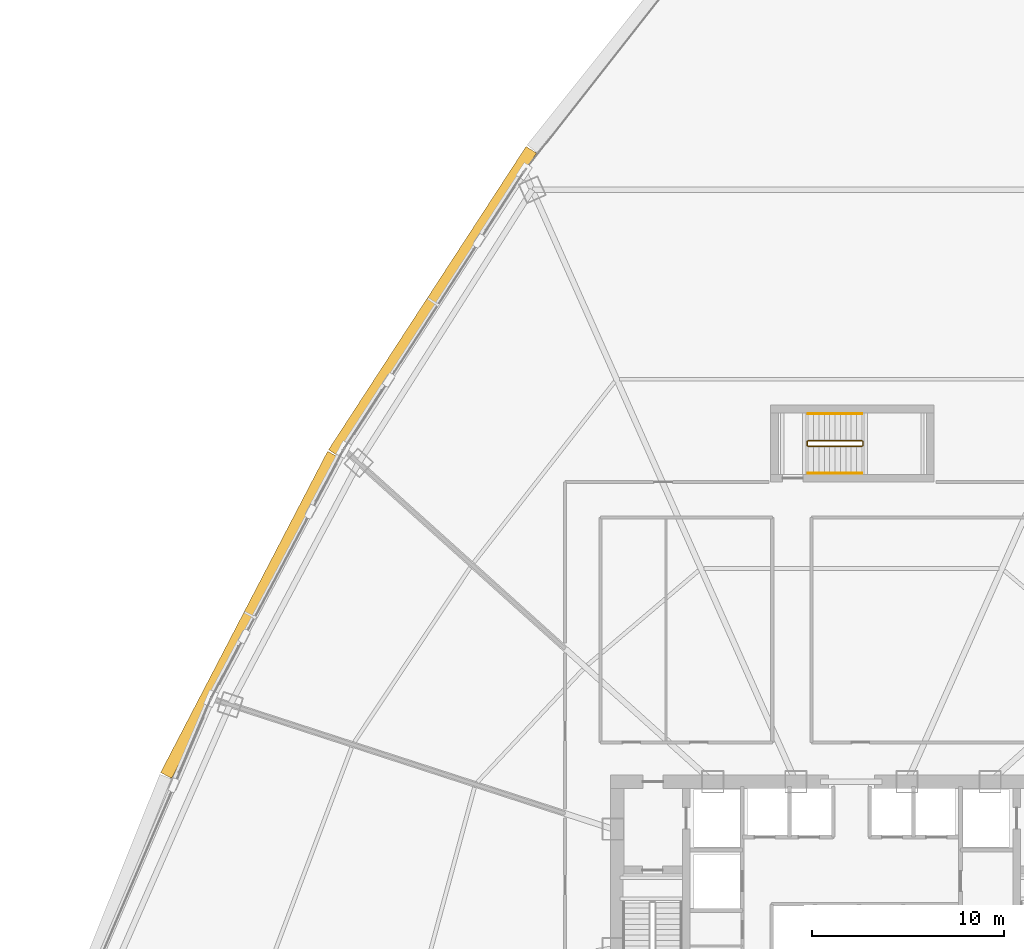
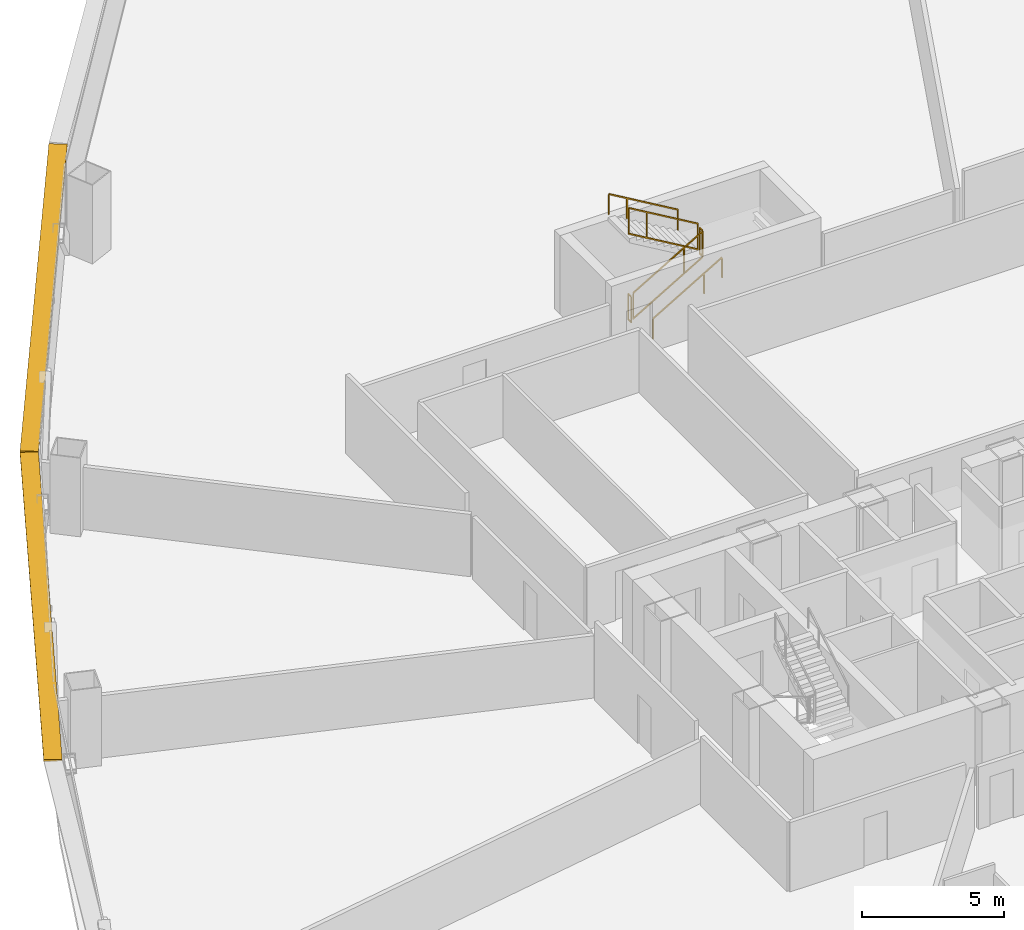
# One storey, part 40 of 41: 6 railings, 2 shading devices.
"""IFC4 building model written with IfcOpenShell, lengths in metres."""

from ifc_helpers import new_model, si_unit, direction, frame, origin, origin_2d, place, context, subcontext, project, spatial, rectangle, extrude, source, transform, mapped, material, layer, layer_set, type_object, element, save


model = new_model("IFC4")

# Units and contexts
model_context = context("Model", 3, precision=1e-05, world=origin(), true_north=direction((0.0, 1.0)))
body_context = subcontext(model_context, "Body", "Model", "MODEL_VIEW")
ifc_project = project(units=[si_unit("LENGTHUNIT", "METRE"), si_unit("AREAUNIT", "SQUARE_METRE"), si_unit("VOLUMEUNIT", "CUBIC_METRE"), si_unit("PLANEANGLEUNIT", "RADIAN"), si_unit("MASSUNIT", "GRAM", prefix="KILO"), si_unit("THERMODYNAMICTEMPERATUREUNIT", "KELVIN"), si_unit("POWERUNIT", "WATT")], contexts=[model_context])

# Site, building, storey
site_placement = place(None, origin())
site = spatial("IfcSite", under=ifc_project, at=site_placement, CompositionType="ELEMENT")
building_placement = place(site_placement, origin())
building = spatial("IfcBuilding", under=site, at=building_placement, Name="Yunzhuo Pagoda Commons", CompositionType="ELEMENT")
storey_placement = place(building_placement, frame((0.0, 0.0, 63.070068359375)))
storey = spatial("IfcBuildingStorey", under=building, at=storey_placement, Name="L16", CompositionType="ELEMENT", Elevation=63.070068359375)

# Railings
ifc_material = material(Name="Anodized aluminium 6063-T6", Category="aluminium")
railing_type_1 = type_object("IfcRailingType", Name="GR-ST3 North Well Guardrail 1155", PredefinedType="GUARDRAIL", material=ifc_material)
railing_1_placement = place(storey_placement, frame((45.75, 57.64990234375, 0.1650390625)))
element("IfcRailing", 1, at=railing_1_placement, inside=storey, type_object=railing_type_1, Name="L16 ST3 stair guard 1", PredefinedType="GUARDRAIL", context=body_context, shape_type="SweptSolid", body=[
    extrude(rectangle(XDim=0.048095703125, YDim=0.048095703125, at=origin_2d()), frame((0.0, 0.0, 1.1259765625), z_axis=(0.861555476484, 0.0, 0.507663432739), x_axis=(0.0, 1.0, 0.0)), (0.0, 0.0, 1.0), 3.25),
    extrude(rectangle(XDim=0.048095703125, YDim=0.048095703125, at=origin_2d()), frame((0.0, 0.0, 0.02392578125), z_axis=(0.861555476484, 0.0, 0.507663432739), x_axis=(0.0, 1.0, 0.0)), (0.0, 0.0, 1.0), 3.25),
    extrude(rectangle(XDim=0.0419921875, YDim=0.0419921875, at=origin_2d()), origin(), (0.0, 0.0, 1.0), 1.101806640625),
    extrude(rectangle(XDim=0.0419921875, YDim=0.0419921875, at=origin_2d()), frame((2.067626953125, 0.0, 1.218505859375)), (0.0, 0.0, 1.0), 1.101806640625),
    extrude(rectangle(XDim=0.0419921875, YDim=0.0419921875, at=origin_2d()), frame((2.800048828125, 0.0, 1.64990234375)), (0.0, 0.0, 1.0), 1.101806640625),
])
railing_2_placement = place(storey_placement, frame((48.60009765625, 57.699951171875, 1.81494140625)))
element("IfcRailing", 2, at=railing_2_placement, inside=storey, type_object=railing_type_1, Name="L16 ST3 stair guard 2", PredefinedType="GUARDRAIL", context=body_context, shape_type="SweptSolid", body=[
    extrude(rectangle(XDim=0.048095703125, YDim=0.048095703125, at=origin_2d()), frame((0.0, 0.0, 1.1259765625), z_axis=(0.0, 1.0, 0.0), x_axis=(-1.0, 0.0, 0.0)), (0.0, 0.0, 1.0), 0.199951171875),
    extrude(rectangle(XDim=0.048095703125, YDim=0.048095703125, at=origin_2d()), frame((0.0, 0.0, 0.02392578125), z_axis=(0.0, 1.0, 0.0), x_axis=(-1.0, 0.0, 0.0)), (0.0, 0.0, 1.0), 0.199951171875),
    extrude(rectangle(XDim=0.0419921875, YDim=0.0419921875, at=origin_2d()), origin(), (0.0, 0.0, 1.0), 1.101806640625),
    extrude(rectangle(XDim=0.0419921875, YDim=0.0419921875, at=origin_2d()), frame((0.0, 0.199951171875, 0.0)), (0.0, 0.0, 1.0), 1.101806640625),
])
railing_3_placement = place(storey_placement, frame((48.550048828125, 57.949951171875, 1.97998046875)))
element("IfcRailing", 3, at=railing_3_placement, inside=storey, type_object=railing_type_1, Name="L16 ST3 stair guard 3", PredefinedType="GUARDRAIL", context=body_context, shape_type="SweptSolid", body=[
    extrude(rectangle(XDim=0.048095703125, YDim=0.048095703125, at=origin_2d()), frame((0.0, 0.0, 1.1259765625), z_axis=(-0.861555476484, 0.0, 0.507663432739), x_axis=(0.0, -1.0, 0.0)), (0.0, 0.0, 1.0), 3.25),
    extrude(rectangle(XDim=0.048095703125, YDim=0.048095703125, at=origin_2d()), frame((0.0, 0.0, 0.02392578125), z_axis=(-0.861555476484, 0.0, 0.507663432739), x_axis=(0.0, -1.0, 0.0)), (0.0, 0.0, 1.0), 3.25),
    extrude(rectangle(XDim=0.0419921875, YDim=0.0419921875, at=origin_2d()), origin(), (0.0, 0.0, 1.0), 1.101806640625),
    extrude(rectangle(XDim=0.0419921875, YDim=0.0419921875, at=origin_2d()), frame((-2.067626953125, 0.0, 1.218505859375)), (0.0, 0.0, 1.0), 1.101806640625),
    extrude(rectangle(XDim=0.0419921875, YDim=0.0419921875, at=origin_2d()), frame((-2.800048828125, 0.0, 1.64990234375)), (0.0, 0.0, 1.0), 1.101806640625),
])
railing_4_placement = place(storey_placement, frame((45.699951171875, 57.699951171875, 0.0)))
element("IfcRailing", 4, at=railing_4_placement, inside=storey, type_object=railing_type_1, Name="L16 ST3 stair guard 4", PredefinedType="GUARDRAIL", context=body_context, shape_type="SweptSolid", body=[
    extrude(rectangle(XDim=0.048095703125, YDim=0.048095703125, at=origin_2d()), frame((0.0, 0.0, 1.1259765625), z_axis=(0.0, 1.0, 0.0), x_axis=(-1.0, 0.0, 0.0)), (0.0, 0.0, 1.0), 0.199951171875),
    extrude(rectangle(XDim=0.048095703125, YDim=0.048095703125, at=origin_2d()), frame((0.0, 0.0, 0.02392578125), z_axis=(0.0, 1.0, 0.0), x_axis=(-1.0, 0.0, 0.0)), (0.0, 0.0, 1.0), 0.199951171875),
    extrude(rectangle(XDim=0.0419921875, YDim=0.0419921875, at=origin_2d()), origin(), (0.0, 0.0, 1.0), 1.101806640625),
    extrude(rectangle(XDim=0.0419921875, YDim=0.0419921875, at=origin_2d()), frame((0.0, 0.199951171875, 0.0)), (0.0, 0.0, 1.0), 1.101806640625),
])
railing_type_2 = type_object("IfcRailingType", Name="HR-ST3 North Stair Handrail 900", PredefinedType="HANDRAIL", material=ifc_material)
railing_5_placement = place(storey_placement, frame((45.75, 56.25, 0.1650390625)))
element("IfcRailing", 5, at=railing_5_placement, inside=storey, type_object=railing_type_2, Name="L16 ST3 stair handrail 1", PredefinedType="HANDRAIL", context=body_context, shape_type="SweptSolid", body=[
    extrude(rectangle(XDim=0.048095703125, YDim=0.048095703125, at=origin_2d()), frame((0.0, 0.0, 0.8759765625), z_axis=(0.861555476484, 0.0, 0.507663432739), x_axis=(0.0, 1.0, 0.0)), (0.0, 0.0, 1.0), 3.25),
    extrude(rectangle(XDim=0.0419921875, YDim=0.0419921875, at=origin_2d()), origin(), (0.0, 0.0, 1.0), 0.851806640625),
    extrude(rectangle(XDim=0.0419921875, YDim=0.0419921875, at=origin_2d()), frame((2.067626953125, 0.0, 1.218505859375)), (0.0, 0.0, 1.0), 0.851806640625),
    extrude(rectangle(XDim=0.0419921875, YDim=0.0419921875, at=origin_2d()), frame((2.800048828125, 0.0, 1.64990234375)), (0.0, 0.0, 1.0), 0.851806640625),
])
railing_6_placement = place(storey_placement, frame((48.550048828125, 59.35009765625, 1.97998046875)))
element("IfcRailing", 6, at=railing_6_placement, inside=storey, type_object=railing_type_2, Name="L16 ST3 stair handrail 2", PredefinedType="HANDRAIL", context=body_context, shape_type="SweptSolid", body=[
    extrude(rectangle(XDim=0.048095703125, YDim=0.048095703125, at=origin_2d()), frame((0.0, 0.0, 0.8759765625), z_axis=(-0.861555476484, 0.0, 0.507663432739), x_axis=(0.0, -1.0, 0.0)), (0.0, 0.0, 1.0), 3.25),
    extrude(rectangle(XDim=0.0419921875, YDim=0.0419921875, at=origin_2d()), origin(), (0.0, 0.0, 1.0), 0.851806640625),
    extrude(rectangle(XDim=0.0419921875, YDim=0.0419921875, at=origin_2d()), frame((-2.067626953125, 0.0, 1.218505859375)), (0.0, 0.0, 1.0), 0.851806640625),
    extrude(rectangle(XDim=0.0419921875, YDim=0.0419921875, at=origin_2d()), frame((-2.800048828125, 0.0, 1.64990234375)), (0.0, 0.0, 1.0), 0.851806640625),
])

# Shading devices
ifc_layer = layer(ifc_material, 0.080078125)
ifc_layer_set = layer_set([ifc_layer], Name="Anodized aluminium 6063-T6")
shading_device_type = type_object("IfcShadingDeviceType", Name="SH-SUN1 Pagoda Horizontal Sunshade Eave 650", PredefinedType="USERDEFINED", material=ifc_layer_set)
shared_shape = source(origin(), body_context, "Body", "SweptSolid", [
    extrude(rectangle(XDim=18.843994140625, YDim=0.64990234375, at=origin_2d()), origin(), (0.0, 0.0, 1.0), 0.080078125),
])
for number, where, z_axis, x_axis, name in (
    (7, (26.196044921875, 65.1953125, 3.289794921875), (0.0, 0.0, 1.0), (-0.545838756973, -0.837890238269, 0.0), "L16 horizontal pagoda sunshade eave F3.2"),
    (8, (16.675537109375, 48.8857421875, 3.289794921875), (0.0, 0.0, 1.0), (-0.461206683033, -0.88729273384, 0.0), "L16 horizontal pagoda sunshade eave F3.3"),
):
    element("IfcShadingDevice", number, at=place(storey_placement, frame(where, z_axis=z_axis, x_axis=x_axis)), inside=storey, type_object=shading_device_type, Name=name, ObjectType="SUNSHADE", PredefinedType="USERDEFINED", context=body_context, shape_type="MappedRepresentation", body=[
        mapped(shared_shape, transform((0.0, 0.0, 0.0), scale=1.0)),
    ])

save(model, "model.ifc")
